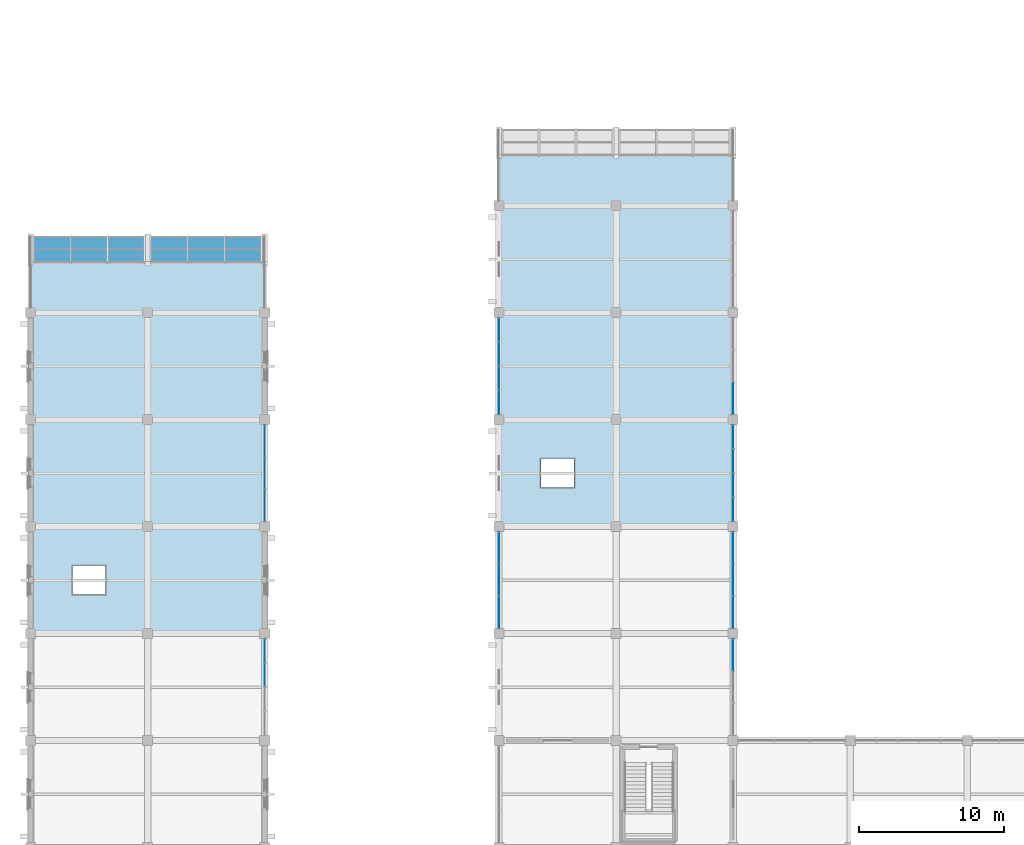
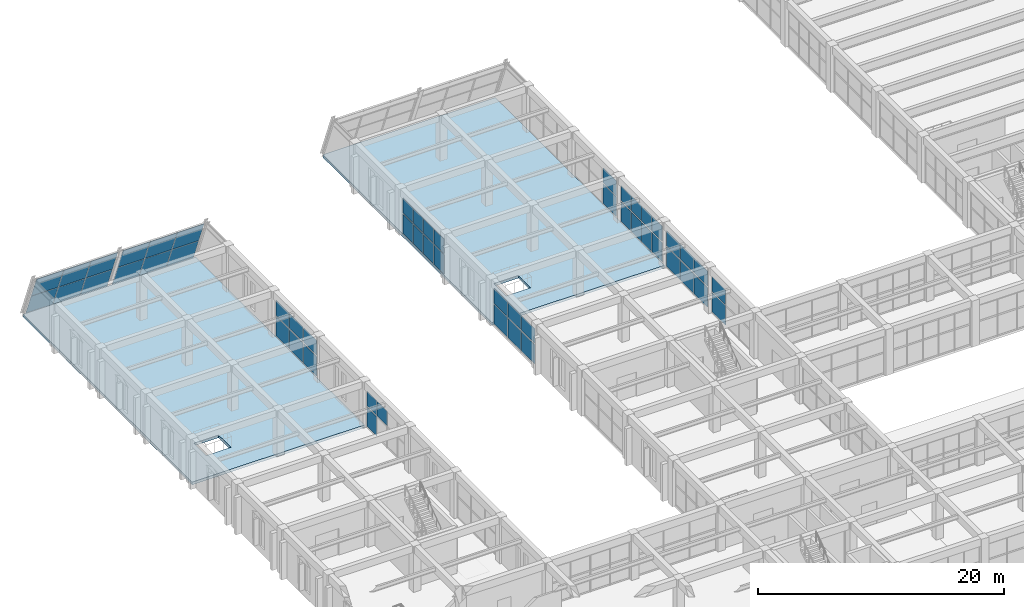
# One storey, part 136 of 161: 53 plates, 2 slabs, 10 elements without a shape of their own.
"""IFC4 building model written with IfcOpenShell, lengths in metres."""

from ifc_helpers import new_model, si_unit, direction, frame, origin, origin_2d, place, context, subcontext, project, spatial, polyline, rectangle, outline, extrude, material, layer, layer_set, type_object, element, aggregate, save


model = new_model("IFC4")

# Units and contexts
model_context = context("Model", 3, precision=1e-05, world=origin(), true_north=direction((0.0, 1.0)))
body_context = subcontext(model_context, "Body", "Model", "MODEL_VIEW")
ifc_project = project(units=[si_unit("LENGTHUNIT", "METRE"), si_unit("AREAUNIT", "SQUARE_METRE"), si_unit("VOLUMEUNIT", "CUBIC_METRE"), si_unit("PLANEANGLEUNIT", "RADIAN"), si_unit("MASSUNIT", "GRAM", prefix="KILO")], contexts=[model_context])

# Site, building, storey
site_placement = place(None, origin())
site = spatial("IfcSite", under=ifc_project, at=site_placement, CompositionType="ELEMENT")
building_placement = place(site_placement, origin())
building = spatial("IfcBuilding", under=site, at=building_placement, Name="Cimatlan Art Gallery", CompositionType="ELEMENT")
storey_placement = place(building_placement, frame((0.0, 0.0, 5.39990234375)))
storey = spatial("IfcBuildingStorey", under=building, at=storey_placement, Name="L01", CompositionType="ELEMENT", Elevation=5.39990234375)

# Curtain wall, plates
ifc_material_1 = material(Name="Anodised bronze unitised curtain wall")
curtain_wall_type_1 = type_object("IfcCurtainWallType", Name="CW-V-06692X03720-B4", PredefinedType="NOTDEFINED", material=ifc_material_1)
curtain_wall_1_placement = place(storey_placement, origin())
curtain_wall_1 = element("IfcCurtainWall", 1, at=curtain_wall_1_placement, inside=storey, type_object=curtain_wall_type_1, Name="CW-L01-01-08-E", PredefinedType="NOTDEFINED")
ifc_material_2 = material(Name="Low-E insulated double glazing", Category="glass")
ifc_layer_1 = layer(ifc_material_2, 0.028076171875)
ifc_layer_set_1 = layer_set([ifc_layer_1], Name="Low-E insulated double glazing")
plate_type_1 = type_object("IfcPlateType", Name="PNL-1615X1453", PredefinedType="CURTAIN_PANEL", material=ifc_layer_set_1)
plate_1_placement = place(storey_placement, frame((18.199951171875, 67.109619140625, 2.14501953125), z_axis=(0.0, 0.0, 1.0), x_axis=(0.0, -1.0, 0.0)))
plate_1 = element("IfcPlate", 2, at=plate_1_placement, type_object=plate_type_1, Name="CW-L01-01-08-E-P12", PredefinedType="CURTAIN_PANEL", context=body_context, shape_type="SweptSolid", body=[
    extrude(rectangle(XDim=1.614990234375, YDim=0.028076171875, at=origin_2d()), origin(), (0.0, 0.0, 1.0), 1.452880859375),
])
plate_2_placement = place(storey_placement, frame((18.199951171875, 65.4365234375, 2.14501953125), z_axis=(0.0, 0.0, 1.0), x_axis=(0.0, -1.0, 0.0)))
plate_2 = element("IfcPlate", 3, at=plate_2_placement, type_object=plate_type_1, Name="CW-L01-01-08-E-P22", PredefinedType="CURTAIN_PANEL", context=body_context, shape_type="SweptSolid", body=[
    extrude(rectangle(XDim=1.614990234375, YDim=0.028076171875, at=origin_2d()), origin(), (0.0, 0.0, 1.0), 1.452880859375),
])

curtain_wall_2_placement = place(storey_placement, origin())
curtain_wall_2 = element("IfcCurtainWall", 4, at=curtain_wall_2_placement, inside=storey, type_object=curtain_wall_type_1, Name="CW-L01-04-11-W", PredefinedType="NOTDEFINED")
plate_3_placement = place(storey_placement, frame((34.39990234375, 84.29052734375, 2.14501953125), z_axis=(0.0, 0.0, 1.0), x_axis=(0.0, 1.0, 0.0)))
plate_3 = element("IfcPlate", 5, at=plate_3_placement, type_object=plate_type_1, Name="CW-L01-04-11-W-P12", PredefinedType="CURTAIN_PANEL", context=body_context, shape_type="SweptSolid", body=[
    extrude(rectangle(XDim=1.614990234375, YDim=0.028076171875, at=origin_2d()), origin(), (0.0, 0.0, 1.0), 1.452880859375),
])
plate_4_placement = place(storey_placement, frame((34.39990234375, 85.96337890625, 2.14501953125), z_axis=(0.0, 0.0, 1.0), x_axis=(0.0, 1.0, 0.0)))
plate_4 = element("IfcPlate", 6, at=plate_4_placement, type_object=plate_type_1, Name="CW-L01-04-11-W-P22", PredefinedType="CURTAIN_PANEL", context=body_context, shape_type="SweptSolid", body=[
    extrude(rectangle(XDim=1.614990234375, YDim=0.028076171875, at=origin_2d()), origin(), (0.0, 0.0, 1.0), 1.452880859375),
])
plate_5_placement = place(storey_placement, frame((34.39990234375, 87.636474609375, 2.14501953125), z_axis=(0.0, 0.0, 1.0), x_axis=(0.0, 1.0, 0.0)))
plate_5 = element("IfcPlate", 7, at=plate_5_placement, type_object=plate_type_1, Name="CW-L01-04-11-W-P32", PredefinedType="CURTAIN_PANEL", context=body_context, shape_type="SweptSolid", body=[
    extrude(rectangle(XDim=1.614990234375, YDim=0.028076171875, at=origin_2d()), origin(), (0.0, 0.0, 1.0), 1.452880859375),
])
plate_6_placement = place(storey_placement, frame((34.39990234375, 89.3095703125, 2.14501953125), z_axis=(0.0, 0.0, 1.0), x_axis=(0.0, 1.0, 0.0)))
plate_6 = element("IfcPlate", 8, at=plate_6_placement, type_object=plate_type_1, Name="CW-L01-04-11-W-P42", PredefinedType="CURTAIN_PANEL", context=body_context, shape_type="SweptSolid", body=[
    extrude(rectangle(XDim=1.614990234375, YDim=0.028076171875, at=origin_2d()), origin(), (0.0, 0.0, 1.0), 1.452880859375),
])

curtain_wall_type_2 = type_object("IfcCurtainWallType", Name="CW-V-06692X03780-B4", PredefinedType="NOTDEFINED", material=ifc_material_1)
curtain_wall_3_placement = place(storey_placement, origin())
curtain_wall_3 = element("IfcCurtainWall", 9, at=curtain_wall_3_placement, inside=storey, type_object=curtain_wall_type_2, Name="CW-L01-05-10-E", PredefinedType="NOTDEFINED")
ifc_layer_2 = layer(ifc_material_2, 0.028076171875)
ifc_layer_set_2 = layer_set([ifc_layer_2], Name="Low-E insulated double glazing")
plate_type_2 = type_object("IfcPlateType", Name="PNL-1615X1479", PredefinedType="CURTAIN_PANEL", material=ifc_layer_set_2)
plate_7_placement = place(storey_placement, frame((50.60009765625, 81.909423828125, 2.178955078125), z_axis=(0.0, 0.0, 1.0), x_axis=(0.0, -1.0, 0.0)))
plate_7 = element("IfcPlate", 10, at=plate_7_placement, type_object=plate_type_2, Name="CW-L01-05-10-E-P12", PredefinedType="CURTAIN_PANEL", context=body_context, shape_type="SweptSolid", body=[
    extrude(rectangle(XDim=1.614990234375, YDim=0.028076171875, at=origin_2d()), origin(), (0.0, 0.0, 1.0), 1.47900390625),
])
plate_8_placement = place(storey_placement, frame((50.60009765625, 80.236572265625, 2.178955078125), z_axis=(0.0, 0.0, 1.0), x_axis=(0.0, -1.0, 0.0)))
plate_8 = element("IfcPlate", 11, at=plate_8_placement, type_object=plate_type_2, Name="CW-L01-05-10-E-P22", PredefinedType="CURTAIN_PANEL", context=body_context, shape_type="SweptSolid", body=[
    extrude(rectangle(XDim=1.614990234375, YDim=0.028076171875, at=origin_2d()), origin(), (0.0, 0.0, 1.0), 1.47900390625),
])
plate_9_placement = place(storey_placement, frame((50.60009765625, 78.5634765625, 2.178955078125), z_axis=(0.0, 0.0, 1.0), x_axis=(0.0, -1.0, 0.0)))
plate_9 = element("IfcPlate", 12, at=plate_9_placement, type_object=plate_type_2, Name="CW-L01-05-10-E-P32", PredefinedType="CURTAIN_PANEL", context=body_context, shape_type="SweptSolid", body=[
    extrude(rectangle(XDim=1.614990234375, YDim=0.028076171875, at=origin_2d()), origin(), (0.0, 0.0, 1.0), 1.47900390625),
])
plate_10_placement = place(storey_placement, frame((50.60009765625, 76.890380859375, 2.178955078125), z_axis=(0.0, 0.0, 1.0), x_axis=(0.0, -1.0, 0.0)))
plate_10 = element("IfcPlate", 13, at=plate_10_placement, type_object=plate_type_2, Name="CW-L01-05-10-E-P42", PredefinedType="CURTAIN_PANEL", context=body_context, shape_type="SweptSolid", body=[
    extrude(rectangle(XDim=1.614990234375, YDim=0.028076171875, at=origin_2d()), origin(), (0.0, 0.0, 1.0), 1.47900390625),
])

# Plate
ifc_layer_3 = layer(ifc_material_2, 0.028076171875)
ifc_layer_set_3 = layer_set([ifc_layer_3], Name="Low-E insulated double glazing")
plate_type_3 = type_object("IfcPlateType", Name="PNL-1615X1899", PredefinedType="CURTAIN_PANEL", material=ifc_layer_set_3)
plate_11_placement = place(storey_placement, frame((18.199951171875, 67.109619140625, 0.122314453125), z_axis=(0.0, 0.0, 1.0), x_axis=(0.0, -1.0, 0.0)))
plate_11 = element("IfcPlate", 14, at=plate_11_placement, type_object=plate_type_3, Name="CW-L01-01-08-E-P11", PredefinedType="CURTAIN_PANEL", context=body_context, shape_type="SweptSolid", body=[
    extrude(rectangle(XDim=1.614990234375, YDim=0.028076171875, at=origin_2d()), origin(), (0.0, 0.0, 1.0), 1.89892578125),
])

aggregate(curtain_wall_1, [plate_11, plate_1, plate_2])

plate_12_placement = place(storey_placement, frame((34.39990234375, 84.29052734375, 0.122314453125), z_axis=(0.0, 0.0, 1.0), x_axis=(0.0, 1.0, 0.0)))
plate_12 = element("IfcPlate", 15, at=plate_12_placement, type_object=plate_type_3, Name="CW-L01-04-11-W-P11", PredefinedType="CURTAIN_PANEL", context=body_context, shape_type="SweptSolid", body=[
    extrude(rectangle(XDim=1.614990234375, YDim=0.028076171875, at=origin_2d()), origin(), (0.0, 0.0, 1.0), 1.89892578125),
])

plate_13_placement = place(storey_placement, frame((34.39990234375, 85.96337890625, 0.122314453125), z_axis=(0.0, 0.0, 1.0), x_axis=(0.0, 1.0, 0.0)))
plate_13 = element("IfcPlate", 16, at=plate_13_placement, type_object=plate_type_3, Name="CW-L01-04-11-W-P21", PredefinedType="CURTAIN_PANEL", context=body_context, shape_type="SweptSolid", body=[
    extrude(rectangle(XDim=1.614990234375, YDim=0.028076171875, at=origin_2d()), origin(), (0.0, 0.0, 1.0), 1.89892578125),
])

plate_14_placement = place(storey_placement, frame((34.39990234375, 87.636474609375, 0.122314453125), z_axis=(0.0, 0.0, 1.0), x_axis=(0.0, 1.0, 0.0)))
plate_14 = element("IfcPlate", 17, at=plate_14_placement, type_object=plate_type_3, Name="CW-L01-04-11-W-P31", PredefinedType="CURTAIN_PANEL", context=body_context, shape_type="SweptSolid", body=[
    extrude(rectangle(XDim=1.614990234375, YDim=0.028076171875, at=origin_2d()), origin(), (0.0, 0.0, 1.0), 1.89892578125),
])

plate_15_placement = place(storey_placement, frame((34.39990234375, 89.3095703125, 0.122314453125), z_axis=(0.0, 0.0, 1.0), x_axis=(0.0, 1.0, 0.0)))
plate_15 = element("IfcPlate", 18, at=plate_15_placement, type_object=plate_type_3, Name="CW-L01-04-11-W-P41", PredefinedType="CURTAIN_PANEL", context=body_context, shape_type="SweptSolid", body=[
    extrude(rectangle(XDim=1.614990234375, YDim=0.028076171875, at=origin_2d()), origin(), (0.0, 0.0, 1.0), 1.89892578125),
])

aggregate(curtain_wall_2, [plate_12, plate_3, plate_13, plate_4, plate_14, plate_5, plate_15, plate_6])

ifc_layer_4 = layer(ifc_material_2, 0.028076171875)
ifc_layer_set_4 = layer_set([ifc_layer_4], Name="Low-E insulated double glazing")
plate_type_4 = type_object("IfcPlateType", Name="PNL-1615X1933", PredefinedType="CURTAIN_PANEL", material=ifc_layer_set_4)
plate_16_placement = place(storey_placement, frame((50.60009765625, 81.909423828125, 0.121826171875), z_axis=(0.0, 0.0, 1.0), x_axis=(0.0, -1.0, 0.0)))
plate_16 = element("IfcPlate", 19, at=plate_16_placement, type_object=plate_type_4, Name="CW-L01-05-10-E-P11", PredefinedType="CURTAIN_PANEL", context=body_context, shape_type="SweptSolid", body=[
    extrude(rectangle(XDim=1.614990234375, YDim=0.028076171875, at=origin_2d()), origin(), (0.0, 0.0, 1.0), 1.93310546875),
])

plate_17_placement = place(storey_placement, frame((50.60009765625, 80.236572265625, 0.121826171875), z_axis=(0.0, 0.0, 1.0), x_axis=(0.0, -1.0, 0.0)))
plate_17 = element("IfcPlate", 20, at=plate_17_placement, type_object=plate_type_4, Name="CW-L01-05-10-E-P21", PredefinedType="CURTAIN_PANEL", context=body_context, shape_type="SweptSolid", body=[
    extrude(rectangle(XDim=1.614990234375, YDim=0.028076171875, at=origin_2d()), origin(), (0.0, 0.0, 1.0), 1.93310546875),
])

plate_18_placement = place(storey_placement, frame((50.60009765625, 78.5634765625, 0.121826171875), z_axis=(0.0, 0.0, 1.0), x_axis=(0.0, -1.0, 0.0)))
plate_18 = element("IfcPlate", 21, at=plate_18_placement, type_object=plate_type_4, Name="CW-L01-05-10-E-P31", PredefinedType="CURTAIN_PANEL", context=body_context, shape_type="SweptSolid", body=[
    extrude(rectangle(XDim=1.614990234375, YDim=0.028076171875, at=origin_2d()), origin(), (0.0, 0.0, 1.0), 1.93310546875),
])

plate_19_placement = place(storey_placement, frame((50.60009765625, 76.890380859375, 0.121826171875), z_axis=(0.0, 0.0, 1.0), x_axis=(0.0, -1.0, 0.0)))
plate_19 = element("IfcPlate", 22, at=plate_19_placement, type_object=plate_type_4, Name="CW-L01-05-10-E-P41", PredefinedType="CURTAIN_PANEL", context=body_context, shape_type="SweptSolid", body=[
    extrude(rectangle(XDim=1.614990234375, YDim=0.028076171875, at=origin_2d()), origin(), (0.0, 0.0, 1.0), 1.93310546875),
])

aggregate(curtain_wall_3, [plate_16, plate_7, plate_17, plate_8, plate_18, plate_9, plate_19, plate_10])

# Curtain wall, plate
curtain_wall_type_3 = type_object("IfcCurtainWallType", Name="CW-V-06692X03720-B3", PredefinedType="NOTDEFINED", material=ifc_material_1)
curtain_wall_4_placement = place(storey_placement, origin())
curtain_wall_4 = element("IfcCurtainWall", 23, at=curtain_wall_4_placement, inside=storey, type_object=curtain_wall_type_3, Name="CW-L01-05-08-E", PredefinedType="NOTDEFINED")
ifc_layer_5 = layer(ifc_material_2, 0.028076171875)
ifc_layer_set_5 = layer_set([ifc_layer_5], Name="Low-E insulated double glazing")
plate_type_5 = type_object("IfcPlateType", Name="PNL-2173X1453", PredefinedType="CURTAIN_PANEL", material=ifc_layer_set_5)
plate_20_placement = place(storey_placement, frame((50.60009765625, 66.83056640625, 2.14501953125), z_axis=(0.0, 0.0, 1.0), x_axis=(0.0, -1.0, 0.0)))
plate_20 = element("IfcPlate", 24, at=plate_20_placement, type_object=plate_type_5, Name="CW-L01-05-08-E-P12", PredefinedType="CURTAIN_PANEL", context=body_context, shape_type="SweptSolid", body=[
    extrude(rectangle(XDim=2.173095703125, YDim=0.028076171875, at=origin_2d()), origin(), (0.0, 0.0, 1.0), 1.452880859375),
])

# Curtain wall, plates
curtain_wall_type_4 = type_object("IfcCurtainWallType", Name="CW-V-06692X03750-B3", PredefinedType="NOTDEFINED", material=ifc_material_1)
curtain_wall_5_placement = place(storey_placement, origin())
curtain_wall_5 = element("IfcCurtainWall", 25, at=curtain_wall_5_placement, inside=storey, type_object=curtain_wall_type_4, Name="CW-L01-04-09-W", PredefinedType="NOTDEFINED")
ifc_layer_6 = layer(ifc_material_2, 0.028076171875)
ifc_layer_set_6 = layer_set([ifc_layer_6], Name="Low-E insulated double glazing")
plate_type_6 = type_object("IfcPlateType", Name="PNL-2173X1466", PredefinedType="CURTAIN_PANEL", material=ifc_layer_set_6)
plate_21_placement = place(storey_placement, frame((34.39990234375, 69.769287109375, 2.162109375), z_axis=(0.0, 0.0, 1.0), x_axis=(0.0, 1.0, 0.0)))
plate_21 = element("IfcPlate", 26, at=plate_21_placement, type_object=plate_type_6, Name="CW-L01-04-09-W-P12", PredefinedType="CURTAIN_PANEL", context=body_context, shape_type="SweptSolid", body=[
    extrude(rectangle(XDim=2.173095703125, YDim=0.028076171875, at=origin_2d()), origin(), (0.0, 0.0, 1.0), 1.466064453125),
])
plate_22_placement = place(storey_placement, frame((34.39990234375, 72.0, 2.162109375), z_axis=(0.0, 0.0, 1.0), x_axis=(0.0, 1.0, 0.0)))
plate_22 = element("IfcPlate", 27, at=plate_22_placement, type_object=plate_type_6, Name="CW-L01-04-09-W-P22", PredefinedType="CURTAIN_PANEL", context=body_context, shape_type="SweptSolid", body=[
    extrude(rectangle(XDim=2.173095703125, YDim=0.028076171875, at=origin_2d()), origin(), (0.0, 0.0, 1.0), 1.466064453125),
])
plate_23_placement = place(storey_placement, frame((34.39990234375, 74.230712890625, 2.162109375), z_axis=(0.0, 0.0, 1.0), x_axis=(0.0, 1.0, 0.0)))
plate_23 = element("IfcPlate", 28, at=plate_23_placement, type_object=plate_type_6, Name="CW-L01-04-09-W-P32", PredefinedType="CURTAIN_PANEL", context=body_context, shape_type="SweptSolid", body=[
    extrude(rectangle(XDim=2.173095703125, YDim=0.028076171875, at=origin_2d()), origin(), (0.0, 0.0, 1.0), 1.466064453125),
])

# Curtain wall, plate
curtain_wall_type_5 = type_object("IfcCurtainWallType", Name="CW-V-06692X03765-B3", PredefinedType="NOTDEFINED", material=ifc_material_1)
curtain_wall_6_placement = place(storey_placement, origin())
curtain_wall_6 = element("IfcCurtainWall", 29, at=curtain_wall_6_placement, inside=storey, type_object=curtain_wall_type_5, Name="CW-L01-05-11-E", PredefinedType="NOTDEFINED")
ifc_layer_7 = layer(ifc_material_2, 0.028076171875)
ifc_layer_set_7 = layer_set([ifc_layer_7], Name="Low-E insulated double glazing")
plate_type_7 = type_object("IfcPlateType", Name="PNL-2173X1473", PredefinedType="CURTAIN_PANEL", material=ifc_layer_set_7)
plate_24_placement = place(storey_placement, frame((50.60009765625, 84.5693359375, 2.17041015625), z_axis=(0.0, 0.0, 1.0), x_axis=(0.0, -1.0, 0.0)))
plate_24 = element("IfcPlate", 30, at=plate_24_placement, type_object=plate_type_7, Name="CW-L01-05-11-E-P32", PredefinedType="CURTAIN_PANEL", context=body_context, shape_type="SweptSolid", body=[
    extrude(rectangle(XDim=2.173095703125, YDim=0.028076171875, at=origin_2d()), origin(), (0.0, 0.0, 1.0), 1.472900390625),
])

# Curtain wall, plates
curtain_wall_type_6 = type_object("IfcCurtainWallType", Name="CW-V-06692X03780-B3", PredefinedType="NOTDEFINED", material=ifc_material_1)
curtain_wall_7_placement = place(storey_placement, origin())
curtain_wall_7 = element("IfcCurtainWall", 31, at=curtain_wall_7_placement, inside=storey, type_object=curtain_wall_type_6, Name="CW-L01-01-10-E", PredefinedType="NOTDEFINED")
ifc_layer_8 = layer(ifc_material_2, 0.028076171875)
ifc_layer_set_8 = layer_set([ifc_layer_8], Name="Low-E insulated double glazing")
plate_type_8 = type_object("IfcPlateType", Name="PNL-2173X1479", PredefinedType="CURTAIN_PANEL", material=ifc_layer_set_8)
plate_25_placement = place(storey_placement, frame((18.199951171875, 81.630615234375, 2.178955078125), z_axis=(0.0, 0.0, 1.0), x_axis=(0.0, -1.0, 0.0)))
plate_25 = element("IfcPlate", 32, at=plate_25_placement, type_object=plate_type_8, Name="CW-L01-01-10-E-P12", PredefinedType="CURTAIN_PANEL", context=body_context, shape_type="SweptSolid", body=[
    extrude(rectangle(XDim=2.173095703125, YDim=0.028076171875, at=origin_2d()), origin(), (0.0, 0.0, 1.0), 1.47900390625),
])
plate_26_placement = place(storey_placement, frame((18.199951171875, 79.39990234375, 2.178955078125), z_axis=(0.0, 0.0, 1.0), x_axis=(0.0, -1.0, 0.0)))
plate_26 = element("IfcPlate", 33, at=plate_26_placement, type_object=plate_type_8, Name="CW-L01-01-10-E-P22", PredefinedType="CURTAIN_PANEL", context=body_context, shape_type="SweptSolid", body=[
    extrude(rectangle(XDim=2.173095703125, YDim=0.028076171875, at=origin_2d()), origin(), (0.0, 0.0, 1.0), 1.47900390625),
])
plate_27_placement = place(storey_placement, frame((18.199951171875, 77.16943359375, 2.178955078125), z_axis=(0.0, 0.0, 1.0), x_axis=(0.0, -1.0, 0.0)))
plate_27 = element("IfcPlate", 34, at=plate_27_placement, type_object=plate_type_8, Name="CW-L01-01-10-E-P32", PredefinedType="CURTAIN_PANEL", context=body_context, shape_type="SweptSolid", body=[
    extrude(rectangle(XDim=2.173095703125, YDim=0.028076171875, at=origin_2d()), origin(), (0.0, 0.0, 1.0), 1.47900390625),
])

curtain_wall_type_7 = type_object("IfcCurtainWallType", Name="CW-V-06692X03795-B3", PredefinedType="NOTDEFINED", material=ifc_material_1)
curtain_wall_8_placement = place(storey_placement, origin())
curtain_wall_8 = element("IfcCurtainWall", 35, at=curtain_wall_8_placement, inside=storey, type_object=curtain_wall_type_7, Name="CW-L01-05-09-E", PredefinedType="NOTDEFINED")
ifc_layer_9 = layer(ifc_material_2, 0.028076171875)
ifc_layer_set_9 = layer_set([ifc_layer_9], Name="Low-E insulated double glazing")
plate_type_9 = type_object("IfcPlateType", Name="PNL-2173X1486", PredefinedType="CURTAIN_PANEL", material=ifc_layer_set_9)
plate_28_placement = place(storey_placement, frame((50.60009765625, 74.230712890625, 2.18701171875), z_axis=(0.0, 0.0, 1.0), x_axis=(0.0, -1.0, 0.0)))
plate_28 = element("IfcPlate", 36, at=plate_28_placement, type_object=plate_type_9, Name="CW-L01-05-09-E-P12", PredefinedType="CURTAIN_PANEL", context=body_context, shape_type="SweptSolid", body=[
    extrude(rectangle(XDim=2.173095703125, YDim=0.028076171875, at=origin_2d()), origin(), (0.0, 0.0, 1.0), 1.486083984375),
])
plate_29_placement = place(storey_placement, frame((50.60009765625, 72.0, 2.18701171875), z_axis=(0.0, 0.0, 1.0), x_axis=(0.0, -1.0, 0.0)))
plate_29 = element("IfcPlate", 37, at=plate_29_placement, type_object=plate_type_9, Name="CW-L01-05-09-E-P22", PredefinedType="CURTAIN_PANEL", context=body_context, shape_type="SweptSolid", body=[
    extrude(rectangle(XDim=2.173095703125, YDim=0.028076171875, at=origin_2d()), origin(), (0.0, 0.0, 1.0), 1.486083984375),
])
plate_30_placement = place(storey_placement, frame((50.60009765625, 69.769287109375, 2.18701171875), z_axis=(0.0, 0.0, 1.0), x_axis=(0.0, -1.0, 0.0)))
plate_30 = element("IfcPlate", 38, at=plate_30_placement, type_object=plate_type_9, Name="CW-L01-05-09-E-P32", PredefinedType="CURTAIN_PANEL", context=body_context, shape_type="SweptSolid", body=[
    extrude(rectangle(XDim=2.173095703125, YDim=0.028076171875, at=origin_2d()), origin(), (0.0, 0.0, 1.0), 1.486083984375),
])

# Plate
ifc_layer_10 = layer(ifc_material_2, 0.028076171875)
ifc_layer_set_10 = layer_set([ifc_layer_10], Name="Low-E insulated double glazing")
plate_type_10 = type_object("IfcPlateType", Name="PNL-2173X1899", PredefinedType="CURTAIN_PANEL", material=ifc_layer_set_10)
plate_31_placement = place(storey_placement, frame((50.60009765625, 66.83056640625, 0.122314453125), z_axis=(0.0, 0.0, 1.0), x_axis=(0.0, -1.0, 0.0)))
plate_31 = element("IfcPlate", 39, at=plate_31_placement, type_object=plate_type_10, Name="CW-L01-05-08-E-P11", PredefinedType="CURTAIN_PANEL", context=body_context, shape_type="SweptSolid", body=[
    extrude(rectangle(XDim=2.173095703125, YDim=0.028076171875, at=origin_2d()), origin(), (0.0, 0.0, 1.0), 1.89892578125),
])

aggregate(curtain_wall_4, [plate_31, plate_20])

ifc_layer_11 = layer(ifc_material_2, 0.028076171875)
ifc_layer_set_11 = layer_set([ifc_layer_11], Name="Low-E insulated double glazing")
plate_type_11 = type_object("IfcPlateType", Name="PNL-2173X1916", PredefinedType="CURTAIN_PANEL", material=ifc_layer_set_11)
plate_32_placement = place(storey_placement, frame((34.39990234375, 69.769287109375, 0.1220703125), z_axis=(0.0, 0.0, 1.0), x_axis=(0.0, 1.0, 0.0)))
plate_32 = element("IfcPlate", 40, at=plate_32_placement, type_object=plate_type_11, Name="CW-L01-04-09-W-P11", PredefinedType="CURTAIN_PANEL", context=body_context, shape_type="SweptSolid", body=[
    extrude(rectangle(XDim=2.173095703125, YDim=0.028076171875, at=origin_2d()), origin(), (0.0, 0.0, 1.0), 1.916015625),
])

plate_33_placement = place(storey_placement, frame((34.39990234375, 72.0, 0.1220703125), z_axis=(0.0, 0.0, 1.0), x_axis=(0.0, 1.0, 0.0)))
plate_33 = element("IfcPlate", 41, at=plate_33_placement, type_object=plate_type_11, Name="CW-L01-04-09-W-P21", PredefinedType="CURTAIN_PANEL", context=body_context, shape_type="SweptSolid", body=[
    extrude(rectangle(XDim=2.173095703125, YDim=0.028076171875, at=origin_2d()), origin(), (0.0, 0.0, 1.0), 1.916015625),
])

plate_34_placement = place(storey_placement, frame((34.39990234375, 74.230712890625, 0.1220703125), z_axis=(0.0, 0.0, 1.0), x_axis=(0.0, 1.0, 0.0)))
plate_34 = element("IfcPlate", 42, at=plate_34_placement, type_object=plate_type_11, Name="CW-L01-04-09-W-P31", PredefinedType="CURTAIN_PANEL", context=body_context, shape_type="SweptSolid", body=[
    extrude(rectangle(XDim=2.173095703125, YDim=0.028076171875, at=origin_2d()), origin(), (0.0, 0.0, 1.0), 1.916015625),
])

aggregate(curtain_wall_5, [plate_32, plate_21, plate_33, plate_22, plate_34, plate_23])

ifc_layer_12 = layer(ifc_material_2, 0.028076171875)
ifc_layer_set_12 = layer_set([ifc_layer_12], Name="Low-E insulated double glazing")
plate_type_12 = type_object("IfcPlateType", Name="PNL-2173X1924", PredefinedType="CURTAIN_PANEL", material=ifc_layer_set_12)
plate_35_placement = place(storey_placement, frame((50.60009765625, 84.5693359375, 0.1220703125), z_axis=(0.0, 0.0, 1.0), x_axis=(0.0, -1.0, 0.0)))
plate_35 = element("IfcPlate", 43, at=plate_35_placement, type_object=plate_type_12, Name="CW-L01-05-11-E-P31", PredefinedType="CURTAIN_PANEL", context=body_context, shape_type="SweptSolid", body=[
    extrude(rectangle(XDim=2.173095703125, YDim=0.028076171875, at=origin_2d()), origin(), (0.0, 0.0, 1.0), 1.924072265625),
])

aggregate(curtain_wall_6, [plate_35, plate_24])

ifc_layer_13 = layer(ifc_material_2, 0.028076171875)
ifc_layer_set_13 = layer_set([ifc_layer_13], Name="Low-E insulated double glazing")
plate_type_13 = type_object("IfcPlateType", Name="PNL-2173X1933", PredefinedType="CURTAIN_PANEL", material=ifc_layer_set_13)
plate_36_placement = place(storey_placement, frame((18.199951171875, 81.630615234375, 0.121826171875), z_axis=(0.0, 0.0, 1.0), x_axis=(0.0, -1.0, 0.0)))
plate_36 = element("IfcPlate", 44, at=plate_36_placement, type_object=plate_type_13, Name="CW-L01-01-10-E-P11", PredefinedType="CURTAIN_PANEL", context=body_context, shape_type="SweptSolid", body=[
    extrude(rectangle(XDim=2.173095703125, YDim=0.028076171875, at=origin_2d()), origin(), (0.0, 0.0, 1.0), 1.93310546875),
])

plate_37_placement = place(storey_placement, frame((18.199951171875, 79.39990234375, 0.121826171875), z_axis=(0.0, 0.0, 1.0), x_axis=(0.0, -1.0, 0.0)))
plate_37 = element("IfcPlate", 45, at=plate_37_placement, type_object=plate_type_13, Name="CW-L01-01-10-E-P21", PredefinedType="CURTAIN_PANEL", context=body_context, shape_type="SweptSolid", body=[
    extrude(rectangle(XDim=2.173095703125, YDim=0.028076171875, at=origin_2d()), origin(), (0.0, 0.0, 1.0), 1.93310546875),
])

plate_38_placement = place(storey_placement, frame((18.199951171875, 77.16943359375, 0.121826171875), z_axis=(0.0, 0.0, 1.0), x_axis=(0.0, -1.0, 0.0)))
plate_38 = element("IfcPlate", 46, at=plate_38_placement, type_object=plate_type_13, Name="CW-L01-01-10-E-P31", PredefinedType="CURTAIN_PANEL", context=body_context, shape_type="SweptSolid", body=[
    extrude(rectangle(XDim=2.173095703125, YDim=0.028076171875, at=origin_2d()), origin(), (0.0, 0.0, 1.0), 1.93310546875),
])

aggregate(curtain_wall_7, [plate_36, plate_25, plate_37, plate_26, plate_38, plate_27])

ifc_layer_14 = layer(ifc_material_2, 0.028076171875)
ifc_layer_set_14 = layer_set([ifc_layer_14], Name="Low-E insulated double glazing")
plate_type_14 = type_object("IfcPlateType", Name="PNL-2173X1941", PredefinedType="CURTAIN_PANEL", material=ifc_layer_set_14)
plate_39_placement = place(storey_placement, frame((50.60009765625, 74.230712890625, 0.122314453125), z_axis=(0.0, 0.0, 1.0), x_axis=(0.0, -1.0, 0.0)))
plate_39 = element("IfcPlate", 47, at=plate_39_placement, type_object=plate_type_14, Name="CW-L01-05-09-E-P11", PredefinedType="CURTAIN_PANEL", context=body_context, shape_type="SweptSolid", body=[
    extrude(rectangle(XDim=2.173095703125, YDim=0.028076171875, at=origin_2d()), origin(), (0.0, 0.0, 1.0), 1.94091796875),
])

plate_40_placement = place(storey_placement, frame((50.60009765625, 72.0, 0.122314453125), z_axis=(0.0, 0.0, 1.0), x_axis=(0.0, -1.0, 0.0)))
plate_40 = element("IfcPlate", 48, at=plate_40_placement, type_object=plate_type_14, Name="CW-L01-05-09-E-P21", PredefinedType="CURTAIN_PANEL", context=body_context, shape_type="SweptSolid", body=[
    extrude(rectangle(XDim=2.173095703125, YDim=0.028076171875, at=origin_2d()), origin(), (0.0, 0.0, 1.0), 1.94091796875),
])

plate_41_placement = place(storey_placement, frame((50.60009765625, 69.769287109375, 0.122314453125), z_axis=(0.0, 0.0, 1.0), x_axis=(0.0, -1.0, 0.0)))
plate_41 = element("IfcPlate", 49, at=plate_41_placement, type_object=plate_type_14, Name="CW-L01-05-09-E-P31", PredefinedType="CURTAIN_PANEL", context=body_context, shape_type="SweptSolid", body=[
    extrude(rectangle(XDim=2.173095703125, YDim=0.028076171875, at=origin_2d()), origin(), (0.0, 0.0, 1.0), 1.94091796875),
])

aggregate(curtain_wall_8, [plate_39, plate_28, plate_40, plate_29, plate_41, plate_30])

# Curtain wall, plates
ifc_material_3 = material(Name="Raked steel-and-bronze lancet curtain wall", Category="steel")
curtain_wall_type_8 = type_object("IfcCurtainWallType", Name="CW-RAK-07660X04901-B3", PredefinedType="NOTDEFINED", material=ifc_material_3)
curtain_wall_9_placement = place(storey_placement, origin())
curtain_wall_9 = element("IfcCurtainWall", 50, at=curtain_wall_9_placement, inside=storey, type_object=curtain_wall_type_8, Name="CW-PROW-L01-B1-0", PredefinedType="NOTDEFINED")
ifc_material_4 = material(Name="Low-E laminated skylight safety glazing", Category="glass")
ifc_layer_15 = layer(ifc_material_4, 0.031982421875)
ifc_layer_set_15 = layer_set([ifc_layer_15], Name="Low-E laminated skylight safety glazing")
plate_type_15 = type_object("IfcPlateType", Name="PNL-RAK-2513X2352", PredefinedType="CURTAIN_PANEL", material=ifc_layer_set_15)
plate_42_placement = place(storey_placement, frame((2.240234375, 95.74609375, 0.068603515625), z_axis=(0.0, 0.930396595291, 0.366554464536), x_axis=(1.0, 0.0, 0.0)))
plate_42 = element("IfcPlate", 51, at=plate_42_placement, type_object=plate_type_15, Name="CW-PROW-L01-B1-0-P11", PredefinedType="CURTAIN_PANEL", context=body_context, shape_type="SweptSolid", body=[
    extrude(outline(polyline([(0.0, 0.0), (2.512939453125, 0.0), (2.512939453125, -2.352459923223447), (0.0, -2.352459923223447), (0.0, 0.0)])), origin(), (0.0, 0.0, -1.0), 0.031982421875),
])
plate_43_placement = place(storey_placement, frame((2.240234375, 94.86572265625, 2.302978515625), z_axis=(0.0, 0.930431985876, 0.366464622658), x_axis=(1.0, 0.0, 0.0)))
plate_43 = element("IfcPlate", 52, at=plate_43_placement, type_object=plate_type_15, Name="CW-PROW-L01-B1-0-P12", PredefinedType="CURTAIN_PANEL", context=body_context, shape_type="SweptSolid", body=[
    extrude(outline(polyline([(0.0, 0.0), (2.512939453125, 0.0), (2.512939453125, -2.3523704433541965), (0.0, -2.3523704433541965), (0.0, 0.0)])), origin(), (0.0, 0.0, -1.0), 0.031982421875),
])
plate_44_placement = place(storey_placement, frame((4.79345703125, 95.74609375, 0.068603515625), z_axis=(0.0, 0.930396595291, 0.366554464536), x_axis=(1.0, 0.0, 0.0)))
plate_44 = element("IfcPlate", 53, at=plate_44_placement, type_object=plate_type_15, Name="CW-PROW-L01-B1-0-P21", PredefinedType="CURTAIN_PANEL", context=body_context, shape_type="SweptSolid", body=[
    extrude(outline(polyline([(0.0, 0.0), (2.512939453125, 0.0), (2.512939453125, -2.352459923223447), (0.0, -2.352459923223447), (0.0, 0.0)])), origin(), (0.0, 0.0, -1.0), 0.031982421875),
])
plate_45_placement = place(storey_placement, frame((4.79345703125, 94.86572265625, 2.302978515625), z_axis=(0.0, 0.930431985876, 0.366464622658), x_axis=(1.0, 0.0, 0.0)))
plate_45 = element("IfcPlate", 54, at=plate_45_placement, type_object=plate_type_15, Name="CW-PROW-L01-B1-0-P22", PredefinedType="CURTAIN_PANEL", context=body_context, shape_type="SweptSolid", body=[
    extrude(outline(polyline([(0.0, 0.0), (2.512939453125, 0.0), (2.512939453125, -2.3523704433541965), (0.0, -2.3523704433541965), (0.0, 0.0)])), origin(), (0.0, 0.0, -1.0), 0.031982421875),
])
plate_46_placement = place(storey_placement, frame((7.3466796875, 95.74609375, 0.068603515625), z_axis=(0.0, 0.930396595291, 0.366554464536), x_axis=(1.0, 0.0, 0.0)))
plate_46 = element("IfcPlate", 55, at=plate_46_placement, type_object=plate_type_15, Name="CW-PROW-L01-B1-0-P31", PredefinedType="CURTAIN_PANEL", context=body_context, shape_type="SweptSolid", body=[
    extrude(outline(polyline([(0.0, 0.0), (2.51318359375, 0.0), (2.51318359375, -2.3524599232234475), (0.0, -2.3524599232234475), (0.0, 0.0)])), origin(), (0.0, 0.0, -1.0), 0.031982421875),
])
plate_47_placement = place(storey_placement, frame((7.3466796875, 94.86572265625, 2.302978515625), z_axis=(0.0, 0.930431985876, 0.366464622658), x_axis=(1.0, 0.0, 0.0)))
plate_47 = element("IfcPlate", 56, at=plate_47_placement, type_object=plate_type_15, Name="CW-PROW-L01-B1-0-P32", PredefinedType="CURTAIN_PANEL", context=body_context, shape_type="SweptSolid", body=[
    extrude(outline(polyline([(0.0, 0.0), (2.51318359375, 0.0), (2.51318359375, -2.352370443354196), (0.0, -2.352370443354196), (0.0, 0.0)])), origin(), (0.0, 0.0, -1.0), 0.031982421875),
])
aggregate(curtain_wall_9, [plate_42, plate_43, plate_44, plate_45, plate_46, plate_47])

curtain_wall_10_placement = place(storey_placement, origin())
curtain_wall_10 = element("IfcCurtainWall", 57, at=curtain_wall_10_placement, inside=storey, type_object=curtain_wall_type_8, Name="CW-PROW-L01-B1-1", PredefinedType="NOTDEFINED")
plate_48_placement = place(storey_placement, frame((10.340087890625, 95.74609375, 0.068603515625), z_axis=(0.0, 0.930396595291, 0.366554464536), x_axis=(1.0, 0.0, 0.0)))
plate_48 = element("IfcPlate", 58, at=plate_48_placement, type_object=plate_type_15, Name="CW-PROW-L01-B1-1-P11", PredefinedType="CURTAIN_PANEL", context=body_context, shape_type="SweptSolid", body=[
    extrude(outline(polyline([(0.0, 0.0), (2.51318359375, 0.0), (2.51318359375, -2.3524599232234475), (0.0, -2.3524599232234475), (0.0, 0.0)])), origin(), (0.0, 0.0, -1.0), 0.031982421875),
])
plate_49_placement = place(storey_placement, frame((10.340087890625, 94.86572265625, 2.302978515625), z_axis=(0.0, 0.930431985876, 0.366464622658), x_axis=(1.0, 0.0, 0.0)))
plate_49 = element("IfcPlate", 59, at=plate_49_placement, type_object=plate_type_15, Name="CW-PROW-L01-B1-1-P12", PredefinedType="CURTAIN_PANEL", context=body_context, shape_type="SweptSolid", body=[
    extrude(outline(polyline([(0.0, 0.0), (2.51318359375, 0.0), (2.51318359375, -2.352370443354196), (0.0, -2.352370443354196), (0.0, 0.0)])), origin(), (0.0, 0.0, -1.0), 0.031982421875),
])
plate_50_placement = place(storey_placement, frame((12.8935546875, 95.74609375, 0.068603515625), z_axis=(0.0, 0.930396595291, 0.366554464536), x_axis=(1.0, 0.0, 0.0)))
plate_50 = element("IfcPlate", 60, at=plate_50_placement, type_object=plate_type_15, Name="CW-PROW-L01-B1-1-P21", PredefinedType="CURTAIN_PANEL", context=body_context, shape_type="SweptSolid", body=[
    extrude(outline(polyline([(0.0, 0.0), (2.512939453125, 0.0), (2.512939453125, -2.352459923223447), (0.0, -2.352459923223447), (0.0, 0.0)])), origin(), (0.0, 0.0, -1.0), 0.031982421875),
])
plate_51_placement = place(storey_placement, frame((12.8935546875, 94.86572265625, 2.302978515625), z_axis=(0.0, 0.930431985876, 0.366464622658), x_axis=(1.0, 0.0, 0.0)))
plate_51 = element("IfcPlate", 61, at=plate_51_placement, type_object=plate_type_15, Name="CW-PROW-L01-B1-1-P22", PredefinedType="CURTAIN_PANEL", context=body_context, shape_type="SweptSolid", body=[
    extrude(outline(polyline([(0.0, 0.0), (2.512939453125, 0.0), (2.512939453125, -2.3523704433541965), (0.0, -2.3523704433541965), (0.0, 0.0)])), origin(), (0.0, 0.0, -1.0), 0.031982421875),
])
plate_52_placement = place(storey_placement, frame((15.44677734375, 95.74609375, 0.068603515625), z_axis=(0.0, 0.930396595291, 0.366554464536), x_axis=(1.0, 0.0, 0.0)))
plate_52 = element("IfcPlate", 62, at=plate_52_placement, type_object=plate_type_15, Name="CW-PROW-L01-B1-1-P31", PredefinedType="CURTAIN_PANEL", context=body_context, shape_type="SweptSolid", body=[
    extrude(outline(polyline([(0.0, 0.0), (2.512939453125, 0.0), (2.512939453125, -2.352459923223447), (0.0, -2.352459923223447), (0.0, 0.0)])), origin(), (0.0, 0.0, -1.0), 0.031982421875),
])
plate_53_placement = place(storey_placement, frame((15.44677734375, 94.86572265625, 2.302978515625), z_axis=(0.0, 0.930431985876, 0.366464622658), x_axis=(1.0, 0.0, 0.0)))
plate_53 = element("IfcPlate", 63, at=plate_53_placement, type_object=plate_type_15, Name="CW-PROW-L01-B1-1-P32", PredefinedType="CURTAIN_PANEL", context=body_context, shape_type="SweptSolid", body=[
    extrude(outline(polyline([(0.0, 0.0), (2.512939453125, 0.0), (2.512939453125, -2.3523704433541965), (0.0, -2.3523704433541965), (0.0, 0.0)])), origin(), (0.0, 0.0, -1.0), 0.031982421875),
])
aggregate(curtain_wall_10, [plate_48, plate_49, plate_50, plate_51, plate_52, plate_53])

# Slabs
ifc_material_5 = material(Name="Concrete C35/45", Category="concrete")
ifc_layer_16 = layer(ifc_material_5, 0.264892578125)
ifc_layer_set_16 = layer_set([ifc_layer_16], Name="Concrete C35/45")
slab_type = type_object("IfcSlabType", Name="SLB-FLR-L01", PredefinedType="FLOOR", material=ifc_layer_set_16)
slab_1_placement = place(storey_placement, frame((0.0, 0.0, -0.264892578125)))
element("IfcSlab", 64, at=slab_1_placement, inside=storey, type_object=slab_type, Name="SLB-L01-B1N", PredefinedType="FLOOR", context=body_context, shape_type="SweptSolid", body=[
    extrude(outline(polyline([(2.0, 68.300048828125), (18.199951171875, 68.300048828125), (18.199951171875, 95.77294921875), (2.0, 95.77294921875), (2.0, 68.300048828125)]), holes=[polyline([(4.89990234375, 71.0), (7.199951171875, 71.0), (7.199951171875, 73.0), (4.89990234375, 73.0), (4.89990234375, 71.0)])]), origin(), (0.0, 0.0, 1.0), 0.264892578125),
])
slab_2_placement = place(storey_placement, frame((0.0, 0.0, -0.264892578125)))
element("IfcSlab", 65, at=slab_2_placement, inside=storey, type_object=slab_type, Name="SLB-L01-B2N", PredefinedType="FLOOR", context=body_context, shape_type="SweptSolid", body=[
    extrude(outline(polyline([(34.39990234375, 75.699951171875), (50.60009765625, 75.699951171875), (50.60009765625, 103.1728515625), (34.39990234375, 103.1728515625), (34.39990234375, 75.699951171875)]), holes=[polyline([(37.300048828125, 78.39990234375), (39.60009765625, 78.39990234375), (39.60009765625, 80.39990234375), (37.300048828125, 80.39990234375), (37.300048828125, 78.39990234375)])]), origin(), (0.0, 0.0, 1.0), 0.264892578125),
])

save(model, "model.ifc")
